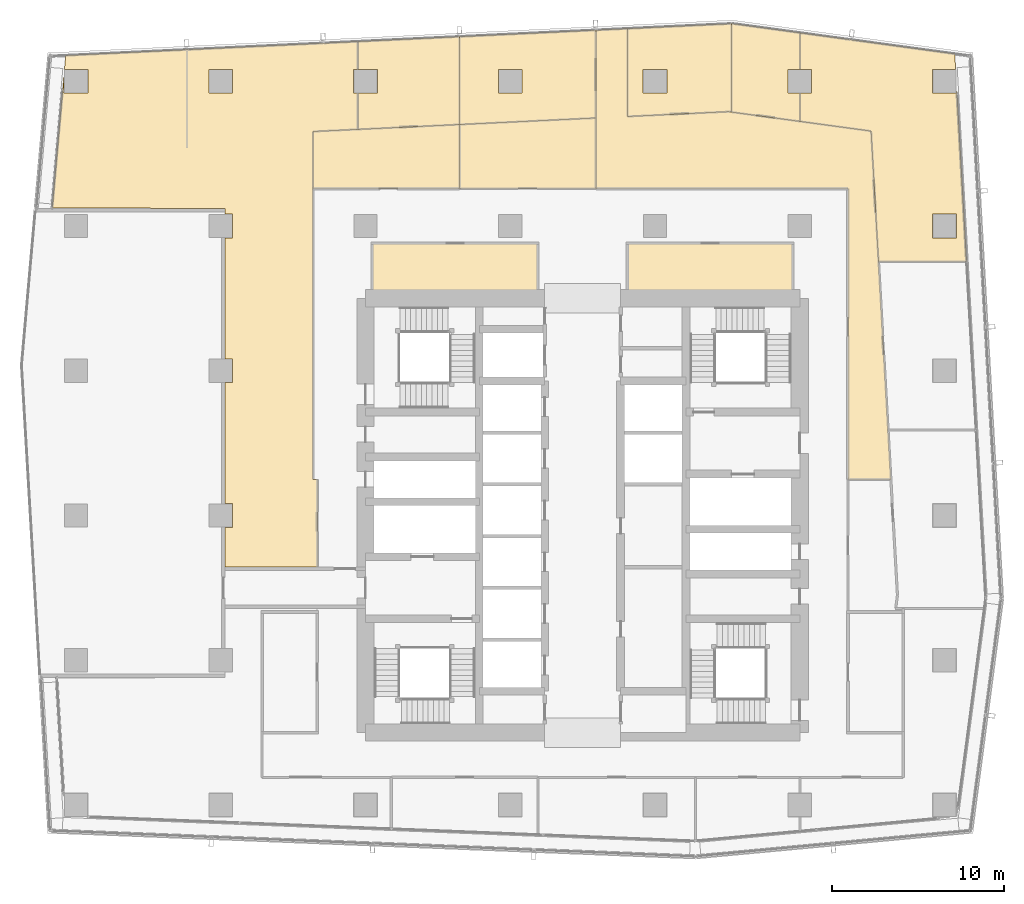
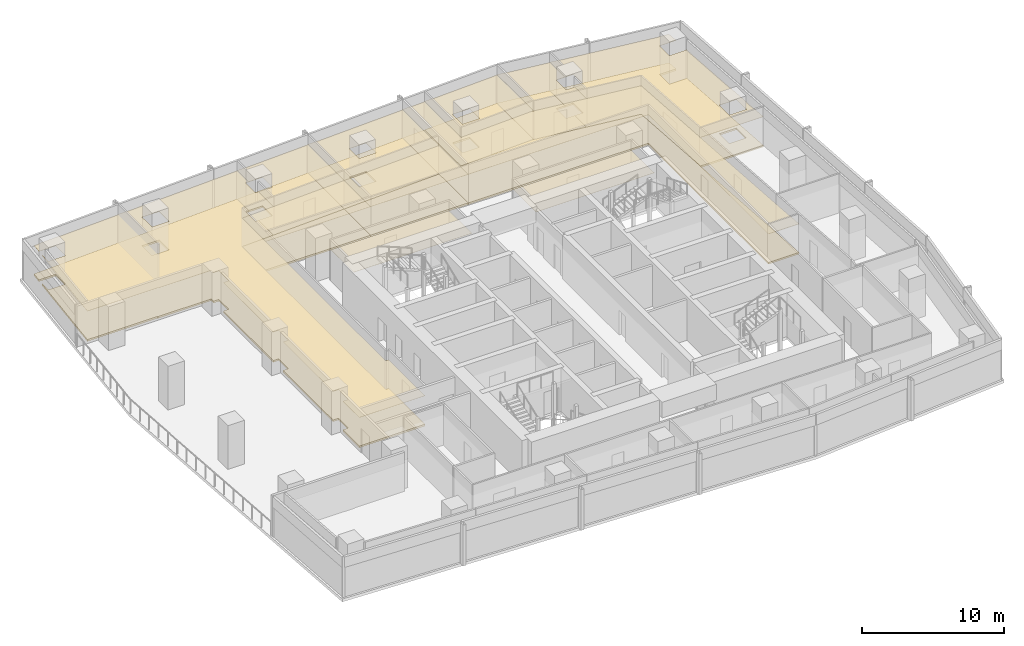
# One storey, part 35 of 35: 20 coverings.
"""IFC4 building model written with IfcOpenShell, lengths in metres."""

from ifc_helpers import new_model, si_unit, direction, frame, origin, place, context, subcontext, project, spatial, polyline, outline, extrude, material, layer, layer_set, type_object, element, save


model = new_model("IFC4")

# Units and contexts
model_context = context("Model", 3, precision=1e-05, world=origin(), true_north=direction((0.0, 1.0)))
body_context = subcontext(model_context, "Body", "Model", "MODEL_VIEW")
ifc_project = project(units=[si_unit("LENGTHUNIT", "METRE"), si_unit("AREAUNIT", "SQUARE_METRE"), si_unit("VOLUMEUNIT", "CUBIC_METRE"), si_unit("PLANEANGLEUNIT", "RADIAN"), si_unit("MASSUNIT", "GRAM", prefix="KILO")], contexts=[model_context])

# Site, building, storey
site_placement = place(None, origin())
site = spatial("IfcSite", under=ifc_project, at=site_placement, CompositionType="ELEMENT")
building_placement = place(site_placement, origin())
building = spatial("IfcBuilding", under=site, at=building_placement, Name="Rekha Terrace Tower", CompositionType="ELEMENT")
storey_placement = place(building_placement, frame((0.0, 0.0, 191.449951171875)))
storey = spatial("IfcBuildingStorey", under=building, at=storey_placement, Name="L48", CompositionType="ELEMENT", Elevation=191.449951171875)

# Coverings
ifc_material_1 = material(Name="Mineral fibre tile in exposed grid", Category="finish")
ifc_layer_1 = layer(ifc_material_1, 0.02001953125)
ifc_layer_set_1 = layer_set([ifc_layer_1], Name="Mineral fibre tile in exposed grid")
covering_type_1 = type_object("IfcCoveringType", Name="CL1 600x1200 office grid ceiling", PredefinedType="CEILING", material=ifc_layer_set_1)
covering_1_placement = place(storey_placement, frame((0.0, 0.0, 2.580078125)))
element("IfcCovering", 1, at=covering_1_placement, inside=storey, type_object=covering_type_1, Name="Ceiling L48-07", PredefinedType="CEILING", context=body_context, shape_type="SweptSolid", body=[
    extrude(outline(polyline([(51.090087890625, 58.110107421875), (50.4169921875, 58.110107421875), (50.4169921875, 56.466064453125), (54.5380859375, 55.905029296875), (54.968017578125, 48.33203125), (60.075927734375, 48.33203125), (59.51611328125, 58.2099609375), (59.489990234375, 58.208984375), (59.489990234375, 58.110107421875), (58.110107421875, 58.110107421875), (58.110107421875, 59.489990234375), (59.443115234375, 59.489990234375), (59.39208984375, 60.39208984375), (50.4169921875, 61.613037109375), (50.4169921875, 59.489990234375), (51.090087890625, 59.489990234375), (51.090087890625, 58.110107421875)]), holes=[polyline([(59.489990234375, 51.090087890625), (59.489990234375, 49.7099609375), (58.110107421875, 49.7099609375), (58.110107421875, 51.090087890625), (59.489990234375, 51.090087890625)])]), origin(), (0.0, 0.0, 1.0), 0.02001953125),
])
covering_2_placement = place(storey_placement, frame((0.0, 0.0, 2.580078125)))
element("IfcCovering", 2, at=covering_2_placement, inside=storey, type_object=covering_type_1, Name="Ceiling L48-08", PredefinedType="CEILING", context=body_context, shape_type="SweptSolid", body=[
    extrude(outline(polyline([(50.416015625, 59.489990234375), (50.416015625, 61.613037109375), (46.445068359375, 62.154052734375), (46.445068359375, 57.007080078125), (50.416015625, 56.466064453125), (50.416015625, 58.110107421875), (49.7099609375, 58.110107421875), (49.7099609375, 59.489990234375), (50.416015625, 59.489990234375)])), origin(), (0.0, 0.0, 1.0), 0.02001953125),
])
covering_3_placement = place(storey_placement, frame((0.0, 0.0, 2.580078125)))
element("IfcCovering", 3, at=covering_3_placement, inside=storey, type_object=covering_type_1, Name="Ceiling L48-09", PredefinedType="CEILING", context=body_context, shape_type="SweptSolid", body=[
    extrude(outline(polyline([(46.444091796875, 62.14697265625), (40.402099609375, 61.85791015625), (40.402099609375, 56.7529296875), (46.444091796875, 57.041015625), (46.444091796875, 62.14697265625)]), holes=[polyline([(42.68994140625, 59.489990234375), (42.68994140625, 58.110107421875), (41.31005859375, 58.110107421875), (41.31005859375, 59.489990234375), (42.68994140625, 59.489990234375)])]), origin(), (0.0, 0.0, 1.0), 0.02001953125),
])
covering_4_placement = place(storey_placement, frame((0.0, 0.0, 2.580078125)))
element("IfcCovering", 4, at=covering_4_placement, inside=storey, type_object=covering_type_1, Name="Ceiling L48-10", PredefinedType="CEILING", context=body_context, shape_type="SweptSolid", body=[
    extrude(outline(polyline([(25.889892578125, 58.110107421875), (24.75, 58.110107421875), (24.75, 56.00390625), (30.660888671875, 56.287109375), (30.660888671875, 61.39306640625), (24.75, 61.110107421875), (24.75, 59.489990234375), (25.889892578125, 59.489990234375), (25.889892578125, 58.110107421875)])), origin(), (0.0, 0.0, 1.0), 0.02001953125),
])
covering_5_placement = place(storey_placement, frame((0.0, 0.0, 2.580078125)))
element("IfcCovering", 5, at=covering_5_placement, inside=storey, type_object=covering_type_1, Name="Ceiling L48-11", PredefinedType="CEILING", context=body_context, shape_type="SweptSolid", body=[
    extrude(outline(polyline([(7.68701171875, 59.0048828125), (7.01904296875, 51.445068359375), (12.718994140625, 51.445068359375), (12.718994140625, 51.4130859375), (17.051025390625, 51.4130859375), (17.051025390625, 51.090087890625), (17.489990234375, 51.090087890625), (17.489990234375, 49.7099609375), (17.051025390625, 49.7099609375), (17.051025390625, 42.68994140625), (17.489990234375, 42.68994140625), (17.489990234375, 41.31005859375), (17.051025390625, 41.31005859375), (17.051025390625, 34.2900390625), (17.489990234375, 34.2900390625), (17.489990234375, 32.909912109375), (17.051025390625, 32.909912109375), (17.051025390625, 30.60107421875), (22.39990234375, 30.60107421875), (22.39990234375, 35.700927734375), (22.15087890625, 35.700927734375), (22.15087890625, 55.8798828125), (24.7490234375, 56.00390625), (24.7490234375, 58.110107421875), (24.510009765625, 58.110107421875), (24.510009765625, 59.489990234375), (24.7490234375, 59.489990234375), (24.7490234375, 61.110107421875), (14.843017578125, 60.636962890625), (14.843017578125, 54.93701171875), (14.842041015625, 54.93701171875), (14.842041015625, 60.636962890625), (7.801025390625, 60.300048828125), (7.72900390625, 59.489990234375), (9.090087890625, 59.489990234375), (9.090087890625, 58.110107421875), (7.7099609375, 58.110107421875), (7.7099609375, 59.00390625), (7.68701171875, 59.0048828125)]), holes=[polyline([(17.489990234375, 59.489990234375), (17.489990234375, 58.110107421875), (16.110107421875, 58.110107421875), (16.110107421875, 59.489990234375), (17.489990234375, 59.489990234375)])]), origin(), (0.0, 0.0, 1.0), 0.02001953125),
])
covering_6_placement = place(storey_placement, frame((0.0, 0.0, 2.580078125)))
element("IfcCovering", 6, at=covering_6_placement, inside=storey, type_object=covering_type_1, Name="Ceiling L48-O1", PredefinedType="CEILING", context=body_context, shape_type="SweptSolid", body=[
    extrude(outline(polyline([(50.416015625, 56.466064453125), (46.444091796875, 57.007080078125), (46.2548828125, 57.031982421875), (40.402099609375, 56.7529296875), (40.402099609375, 61.85791015625), (38.570068359375, 61.77099609375), (38.570068359375, 52.574951171875), (53.199951171875, 52.574951171875), (53.199951171875, 35.700927734375), (55.68505859375, 35.700927734375), (55.52197265625, 38.571044921875), (54.967041015625, 48.346923828125), (54.5380859375, 55.905029296875), (50.416015625, 56.466064453125)])), origin(), (0.0, 0.0, 1.0), 0.02001953125),
])
covering_7_placement = place(storey_placement, frame((0.0, 0.0, 2.580078125)))
element("IfcCovering", 7, at=covering_7_placement, inside=storey, type_object=covering_type_1, Name="Ceiling L48-O1b", PredefinedType="CEILING", context=body_context, shape_type="SweptSolid", body=[
    extrude(outline(polyline([(30.660888671875, 56.287109375), (24.75, 56.00390625), (22.15087890625, 55.8798828125), (22.15087890625, 52.574951171875), (30.660888671875, 52.574951171875), (30.660888671875, 56.287109375)])), origin(), (0.0, 0.0, 1.0), 0.02001953125),
])
covering_8_placement = place(storey_placement, frame((0.0, 0.0, 2.580078125)))
element("IfcCovering", 8, at=covering_8_placement, inside=storey, type_object=covering_type_1, Name="Ceiling L48-14", PredefinedType="CEILING", context=body_context, shape_type="SweptSolid", body=[
    extrude(outline(polyline([(30.660888671875, 56.287109375), (38.570068359375, 56.6650390625), (38.570068359375, 61.77099609375), (30.660888671875, 61.39306640625), (30.660888671875, 56.287109375)]), holes=[polyline([(34.2900390625, 58.110107421875), (32.909912109375, 58.110107421875), (32.909912109375, 59.489990234375), (34.2900390625, 59.489990234375), (34.2900390625, 58.110107421875)])]), origin(), (0.0, 0.0, 1.0), 0.02001953125),
])
covering_9_placement = place(storey_placement, frame((0.0, 0.0, 2.580078125)))
element("IfcCovering", 9, at=covering_9_placement, inside=storey, type_object=covering_type_1, Name="Ceiling L48-15", PredefinedType="CEILING", context=body_context, shape_type="SweptSolid", body=[
    extrude(outline(polyline([(30.660888671875, 52.574951171875), (38.570068359375, 52.574951171875), (38.570068359375, 56.6650390625), (30.660888671875, 56.287109375), (30.660888671875, 52.574951171875)])), origin(), (0.0, 0.0, 1.0), 0.02001953125),
])
ifc_material_2 = material(Name="Fibre cement board", Category="finish")
ifc_layer_2 = layer(ifc_material_2, 0.014892578125)
ifc_layer_set_2 = layer_set([ifc_layer_2], Name="Fibre cement board")
covering_type_2 = type_object("IfcCoveringType", Name="CL2 moisture-resistant board ceiling", PredefinedType="CEILING", material=ifc_layer_set_2)
covering_10_placement = place(storey_placement, frame((0.0, 0.0, 2.5849609375)))
element("IfcCovering", 10, at=covering_10_placement, inside=storey, type_object=covering_type_2, Name="Ceiling L48-WCF", PredefinedType="CEILING", context=body_context, shape_type="SweptSolid", body=[
    extrude(outline(polyline([(50.0, 49.39990234375), (40.39990234375, 49.39990234375), (40.39990234375, 46.199951171875), (50.0, 46.199951171875), (50.0, 49.39990234375)])), origin(), (0.0, 0.0, 1.0), 0.01513671875),
])
covering_11_placement = place(storey_placement, frame((0.0, 0.0, 2.5849609375)))
element("IfcCovering", 11, at=covering_11_placement, inside=storey, type_object=covering_type_2, Name="Ceiling L48-WCF2", PredefinedType="CEILING", context=body_context, shape_type="SweptSolid", body=[
    extrude(outline(polyline([(35.199951171875, 49.39990234375), (25.60009765625, 49.39990234375), (25.60009765625, 46.199951171875), (35.199951171875, 46.199951171875), (35.199951171875, 49.39990234375)])), origin(), (0.0, 0.0, 1.0), 0.01513671875),
])
ifc_material_3 = material(Name="Calcium sulphate panels on steel pedestals", Category="steel")
ifc_layer_3 = layer(ifc_material_3, 0.14990234375)
ifc_layer_set_3 = layer_set([ifc_layer_3], Name="Calcium sulphate panels on steel pedestals")
covering_type_3 = type_object("IfcCoveringType", Name="RF1 150 raised access floor", PredefinedType="FLOORING", material=ifc_layer_set_3)
covering_12_placement = place(storey_placement, origin())
element("IfcCovering", 12, at=covering_12_placement, inside=storey, type_object=covering_type_3, Name="Raised floor L48-07", PredefinedType="FLOORING", context=body_context, shape_type="SweptSolid", body=[
    extrude(outline(polyline([(51.090087890625, 58.110107421875), (50.4169921875, 58.110107421875), (50.4169921875, 56.466064453125), (54.5380859375, 55.905029296875), (54.968017578125, 48.33203125), (60.075927734375, 48.33203125), (59.51611328125, 58.2099609375), (59.489990234375, 58.208984375), (59.489990234375, 58.110107421875), (58.110107421875, 58.110107421875), (58.110107421875, 59.489990234375), (59.443115234375, 59.489990234375), (59.39208984375, 60.39208984375), (50.4169921875, 61.613037109375), (50.4169921875, 59.489990234375), (51.090087890625, 59.489990234375), (51.090087890625, 58.110107421875)]), holes=[polyline([(59.489990234375, 51.090087890625), (59.489990234375, 49.7099609375), (58.110107421875, 49.7099609375), (58.110107421875, 51.090087890625), (59.489990234375, 51.090087890625)])]), origin(), (0.0, 0.0, 1.0), 0.150146484375),
])
covering_13_placement = place(storey_placement, origin())
element("IfcCovering", 13, at=covering_13_placement, inside=storey, type_object=covering_type_3, Name="Raised floor L48-08", PredefinedType="FLOORING", context=body_context, shape_type="SweptSolid", body=[
    extrude(outline(polyline([(50.416015625, 59.489990234375), (50.416015625, 61.613037109375), (46.445068359375, 62.154052734375), (46.445068359375, 57.007080078125), (50.416015625, 56.466064453125), (50.416015625, 58.110107421875), (49.7099609375, 58.110107421875), (49.7099609375, 59.489990234375), (50.416015625, 59.489990234375)])), origin(), (0.0, 0.0, 1.0), 0.150146484375),
])
covering_14_placement = place(storey_placement, origin())
element("IfcCovering", 14, at=covering_14_placement, inside=storey, type_object=covering_type_3, Name="Raised floor L48-09", PredefinedType="FLOORING", context=body_context, shape_type="SweptSolid", body=[
    extrude(outline(polyline([(46.444091796875, 62.14697265625), (40.402099609375, 61.85791015625), (40.402099609375, 56.7529296875), (46.444091796875, 57.041015625), (46.444091796875, 62.14697265625)]), holes=[polyline([(42.68994140625, 59.489990234375), (42.68994140625, 58.110107421875), (41.31005859375, 58.110107421875), (41.31005859375, 59.489990234375), (42.68994140625, 59.489990234375)])]), origin(), (0.0, 0.0, 1.0), 0.150146484375),
])
covering_15_placement = place(storey_placement, origin())
element("IfcCovering", 15, at=covering_15_placement, inside=storey, type_object=covering_type_3, Name="Raised floor L48-10", PredefinedType="FLOORING", context=body_context, shape_type="SweptSolid", body=[
    extrude(outline(polyline([(25.889892578125, 58.110107421875), (24.75, 58.110107421875), (24.75, 56.00390625), (30.660888671875, 56.287109375), (30.660888671875, 61.39306640625), (24.75, 61.110107421875), (24.75, 59.489990234375), (25.889892578125, 59.489990234375), (25.889892578125, 58.110107421875)])), origin(), (0.0, 0.0, 1.0), 0.150146484375),
])
covering_16_placement = place(storey_placement, origin())
element("IfcCovering", 16, at=covering_16_placement, inside=storey, type_object=covering_type_3, Name="Raised floor L48-11", PredefinedType="FLOORING", context=body_context, shape_type="SweptSolid", body=[
    extrude(outline(polyline([(7.68701171875, 59.0048828125), (7.01904296875, 51.445068359375), (12.718994140625, 51.445068359375), (12.718994140625, 51.4130859375), (17.051025390625, 51.4130859375), (17.051025390625, 51.090087890625), (17.489990234375, 51.090087890625), (17.489990234375, 49.7099609375), (17.051025390625, 49.7099609375), (17.051025390625, 42.68994140625), (17.489990234375, 42.68994140625), (17.489990234375, 41.31005859375), (17.051025390625, 41.31005859375), (17.051025390625, 34.2900390625), (17.489990234375, 34.2900390625), (17.489990234375, 32.909912109375), (17.051025390625, 32.909912109375), (17.051025390625, 30.60107421875), (22.39990234375, 30.60107421875), (22.39990234375, 35.700927734375), (22.15087890625, 35.700927734375), (22.15087890625, 55.8798828125), (24.7490234375, 56.00390625), (24.7490234375, 58.110107421875), (24.510009765625, 58.110107421875), (24.510009765625, 59.489990234375), (24.7490234375, 59.489990234375), (24.7490234375, 61.110107421875), (14.843017578125, 60.636962890625), (14.843017578125, 54.93701171875), (14.842041015625, 54.93701171875), (14.842041015625, 60.636962890625), (7.801025390625, 60.300048828125), (7.72900390625, 59.489990234375), (9.090087890625, 59.489990234375), (9.090087890625, 58.110107421875), (7.7099609375, 58.110107421875), (7.7099609375, 59.00390625), (7.68701171875, 59.0048828125)]), holes=[polyline([(17.489990234375, 59.489990234375), (17.489990234375, 58.110107421875), (16.110107421875, 58.110107421875), (16.110107421875, 59.489990234375), (17.489990234375, 59.489990234375)])]), origin(), (0.0, 0.0, 1.0), 0.150146484375),
])
covering_17_placement = place(storey_placement, origin())
element("IfcCovering", 17, at=covering_17_placement, inside=storey, type_object=covering_type_3, Name="Raised floor L48-O1", PredefinedType="FLOORING", context=body_context, shape_type="SweptSolid", body=[
    extrude(outline(polyline([(50.416015625, 56.466064453125), (46.444091796875, 57.007080078125), (46.2548828125, 57.031982421875), (40.402099609375, 56.7529296875), (40.402099609375, 61.85791015625), (38.570068359375, 61.77099609375), (38.570068359375, 52.574951171875), (53.199951171875, 52.574951171875), (53.199951171875, 35.700927734375), (55.68505859375, 35.700927734375), (55.52197265625, 38.571044921875), (54.967041015625, 48.346923828125), (54.5380859375, 55.905029296875), (50.416015625, 56.466064453125)])), origin(), (0.0, 0.0, 1.0), 0.150146484375),
])
covering_18_placement = place(storey_placement, origin())
element("IfcCovering", 18, at=covering_18_placement, inside=storey, type_object=covering_type_3, Name="Raised floor L48-O1b", PredefinedType="FLOORING", context=body_context, shape_type="SweptSolid", body=[
    extrude(outline(polyline([(30.660888671875, 56.287109375), (24.75, 56.00390625), (22.15087890625, 55.8798828125), (22.15087890625, 52.574951171875), (30.660888671875, 52.574951171875), (30.660888671875, 56.287109375)])), origin(), (0.0, 0.0, 1.0), 0.150146484375),
])
covering_19_placement = place(storey_placement, origin())
element("IfcCovering", 19, at=covering_19_placement, inside=storey, type_object=covering_type_3, Name="Raised floor L48-14", PredefinedType="FLOORING", context=body_context, shape_type="SweptSolid", body=[
    extrude(outline(polyline([(30.660888671875, 56.287109375), (38.570068359375, 56.6650390625), (38.570068359375, 61.77099609375), (30.660888671875, 61.39306640625), (30.660888671875, 56.287109375)]), holes=[polyline([(34.2900390625, 58.110107421875), (32.909912109375, 58.110107421875), (32.909912109375, 59.489990234375), (34.2900390625, 59.489990234375), (34.2900390625, 58.110107421875)])]), origin(), (0.0, 0.0, 1.0), 0.150146484375),
])
covering_20_placement = place(storey_placement, origin())
element("IfcCovering", 20, at=covering_20_placement, inside=storey, type_object=covering_type_3, Name="Raised floor L48-15", PredefinedType="FLOORING", context=body_context, shape_type="SweptSolid", body=[
    extrude(outline(polyline([(30.660888671875, 52.574951171875), (38.570068359375, 52.574951171875), (38.570068359375, 56.6650390625), (30.660888671875, 56.287109375), (30.660888671875, 52.574951171875)])), origin(), (0.0, 0.0, 1.0), 0.150146484375),
])

save(model, "model.ifc")
